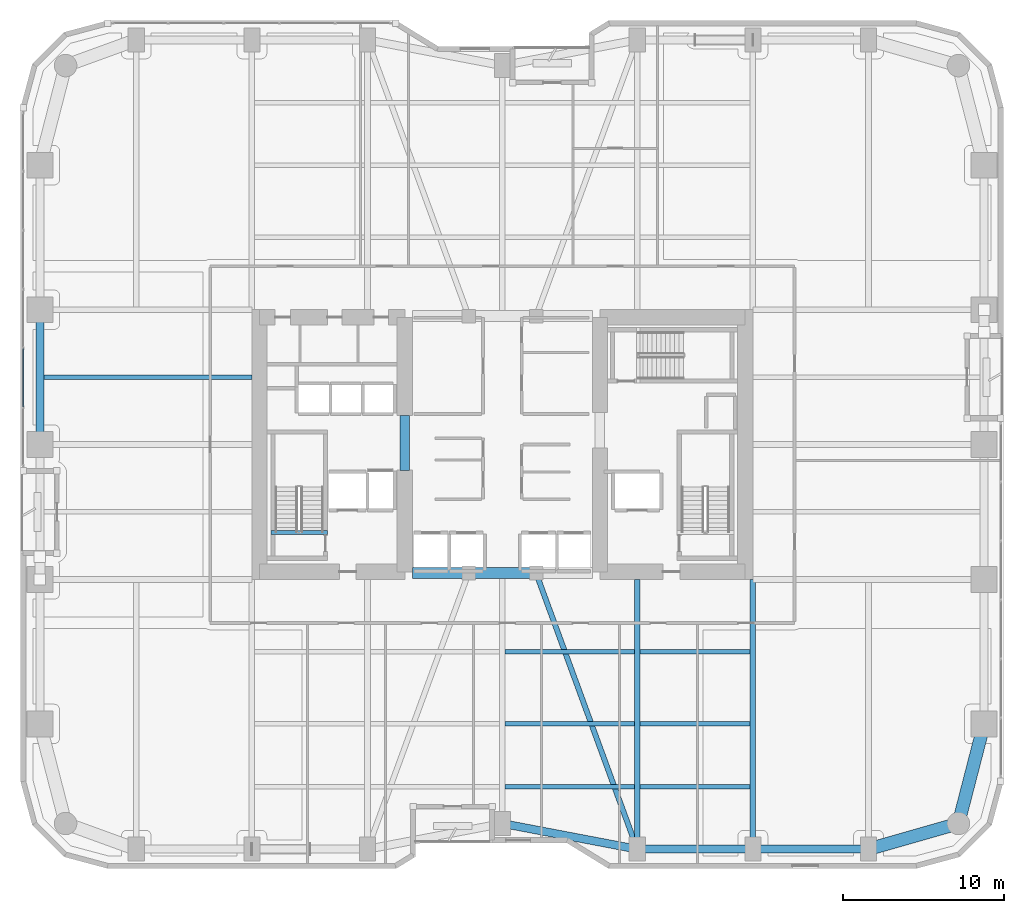
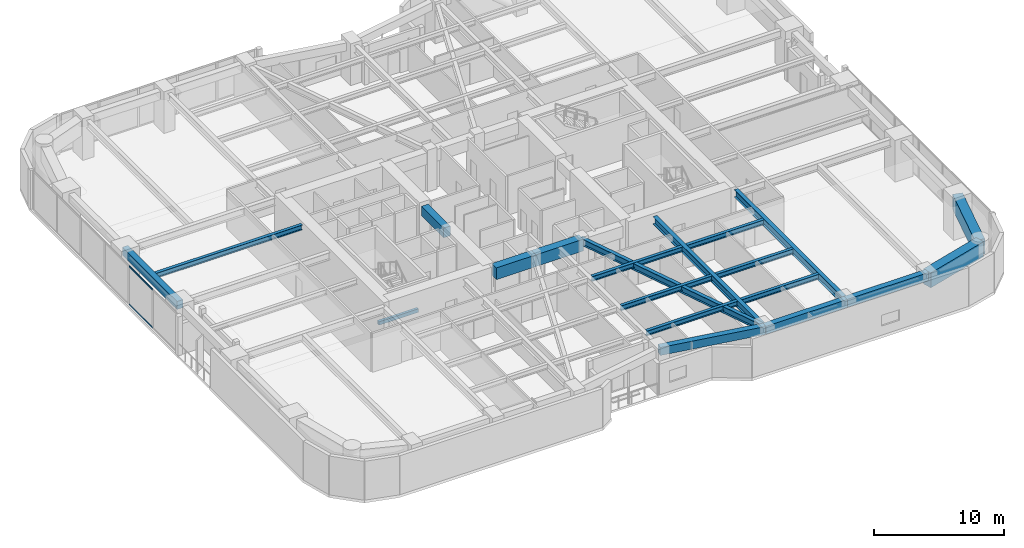
# One storey, part 3 of 29: 20 beams, 2 members, 1 element without a shape of its own.
"""IFC4 building model written with IfcOpenShell, lengths in metres."""

from ifc_helpers import new_model, si_unit, direction, frame, origin, origin_2d, place, context, subcontext, project, spatial, rectangle, hollow_rectangle, i_section, extrude, material, layer, layer_set, material_profile, profile_set, type_object, element, aggregate, save


model = new_model("IFC4")

# Units and contexts
model_context = context("Model", 3, precision=1e-05, world=origin(), true_north=direction((0.0, 1.0)))
body_context = subcontext(model_context, "Body", "Model", "MODEL_VIEW")
ifc_project = project(units=[si_unit("LENGTHUNIT", "METRE"), si_unit("AREAUNIT", "SQUARE_METRE"), si_unit("VOLUMEUNIT", "CUBIC_METRE"), si_unit("PLANEANGLEUNIT", "RADIAN"), si_unit("MASSUNIT", "GRAM", prefix="KILO")], contexts=[model_context])

# Site, building, storey
site_placement = place(None, origin())
site = spatial("IfcSite", under=ifc_project, at=site_placement, CompositionType="ELEMENT")
building_placement = place(site_placement, origin())
building = spatial("IfcBuilding", under=site, at=building_placement, Name="Kiyonajd Concourse Tower", CompositionType="ELEMENT")
storey_placement = place(building_placement, frame((0.0, 0.0, 48.89990234375)))
storey = spatial("IfcBuildingStorey", under=building, at=storey_placement, Name="L13", CompositionType="ELEMENT", Elevation=48.89990234375)

# Beams
ifc_material_1 = material(Name="Concrete C70/85", Category="concrete")
ifc_material_profile_1 = material_profile(ifc_material_1, rectangle(XDim=0.699951171875, YDim=1.10009765625, at=origin_2d()), Name="RCBM-700x1100")
ifc_profile_set_1 = profile_set([ifc_material_profile_1], Name="Concrete C70/85")
beam_type_1 = type_object("IfcBeamType", Name="BM-COUP-1100", PredefinedType="LINTEL", material=ifc_profile_set_1)
beam_1_placement = place(storey_placement, frame((42.39990234375, 28.0, 3.090087890625), z_axis=(1.0, 0.0, 0.0), x_axis=(0.0, 1.0, 0.0)))
element("IfcBeam", 1, at=beam_1_placement, inside=storey, type_object=beam_type_1, Name="L13 Core Coupling Beam S1", PredefinedType="LINTEL", context=body_context, shape_type="SweptSolid", body=[
    extrude(rectangle(XDim=0.699951171875, YDim=1.10009765625, at=origin_2d()), origin(), (0.0, 0.0, 1.0), 3.5),
])
beam_2_placement = place(storey_placement, frame((45.89990234375, 28.0, 3.090087890625), z_axis=(1.0, 0.0, 0.0), x_axis=(0.0, 1.0, 0.0)))
element("IfcBeam", 2, at=beam_2_placement, inside=storey, type_object=beam_type_1, Name="L13 Core Coupling Beam S2", PredefinedType="LINTEL", context=body_context, shape_type="SweptSolid", body=[
    extrude(rectangle(XDim=0.699951171875, YDim=1.10009765625, at=origin_2d()), origin(), (0.0, 0.0, 1.0), 4.2001953125),
])
ifc_material_2 = material(Name="Concrete C60/75", Category="concrete")
ifc_material_profile_2 = material_profile(ifc_material_2, rectangle(XDim=0.60009765625, YDim=0.89990234375, at=origin_2d()), Name="RCBM-600x900")
ifc_profile_set_2 = profile_set([ifc_material_profile_2], Name="Concrete C60/75")
beam_type_2 = type_object("IfcBeamType", Name="BM-COUP-900", PredefinedType="LINTEL", material=ifc_profile_set_2)
beam_3_placement = place(storey_placement, frame((41.925048828125, 34.39990234375, 3.090087890625), z_axis=(0.0, 1.0, 0.0), x_axis=(-1.0, 0.0, 0.0)))
element("IfcBeam", 3, at=beam_3_placement, inside=storey, type_object=beam_type_2, Name="L13 West Core Throat Coupling Lintel", PredefinedType="LINTEL", context=body_context, shape_type="SweptSolid", body=[
    extrude(rectangle(XDim=0.60009765625, YDim=0.89990234375, at=origin_2d()), origin(), (0.0, 0.0, 1.0), 3.400146484375),
])
ifc_material_3 = material(Name="Steel ASTM A992 Grade 50", Category="steel")
ifc_material_profile_3 = material_profile(ifc_material_3, i_section(OverallWidth=0.280029296875, OverallDepth=0.462890625, WebThickness=0.0107421875, FlangeThickness=0.017333984375, at=origin_2d()), Name="W460X113")
ifc_profile_set_3 = profile_set([ifc_material_profile_3], Name="Steel ASTM A992 Grade 50")
beam_type_3 = type_object("IfcBeamType", Name="BM-JST-460A", PredefinedType="JOIST", material=ifc_profile_set_3)
beam_4_placement = place(storey_placement, frame((48.177490234375, 14.699951171875, 3.40869140625), z_axis=(1.0, 0.0, 0.0), x_axis=(0.0, 1.0, 0.0)))
element("IfcBeam", 4, at=beam_4_placement, inside=storey, type_object=beam_type_3, Name="L13 Secondary Floor Joist", PredefinedType="JOIST", context=body_context, shape_type="SweptSolid", body=[
    extrude(i_section(OverallWidth=0.280029296875, OverallDepth=0.462890625, WebThickness=0.0107421875, FlangeThickness=0.017333984375, at=origin_2d()), origin(), (0.0, 0.0, 1.0), 8.044921875),
])
beam_5_placement = place(storey_placement, frame((56.577392578125, 14.699951171875, 3.40869140625), z_axis=(1.0, 0.0, 0.0), x_axis=(0.0, 1.0, 0.0)))
element("IfcBeam", 5, at=beam_5_placement, inside=storey, type_object=beam_type_3, Name="L13 Secondary Floor Joist", PredefinedType="JOIST", context=body_context, shape_type="SweptSolid", body=[
    extrude(i_section(OverallWidth=0.280029296875, OverallDepth=0.462890625, WebThickness=0.0107421875, FlangeThickness=0.017333984375, at=origin_2d()), origin(), (0.0, 0.0, 1.0), 6.84521484375),
])
beam_6_placement = place(storey_placement, frame((48.177490234375, 18.60009765625, 3.40869140625), z_axis=(1.0, 0.0, 0.0), x_axis=(0.0, 1.0, 0.0)))
element("IfcBeam", 6, at=beam_6_placement, inside=storey, type_object=beam_type_3, Name="L13 Secondary Floor Joist", PredefinedType="JOIST", context=body_context, shape_type="SweptSolid", body=[
    extrude(i_section(OverallWidth=0.280029296875, OverallDepth=0.462890625, WebThickness=0.0107421875, FlangeThickness=0.017333984375, at=origin_2d()), origin(), (0.0, 0.0, 1.0), 8.044921875),
])
beam_7_placement = place(storey_placement, frame((56.577392578125, 18.60009765625, 3.40869140625), z_axis=(1.0, 0.0, 0.0), x_axis=(0.0, 1.0, 0.0)))
element("IfcBeam", 7, at=beam_7_placement, inside=storey, type_object=beam_type_3, Name="L13 Secondary Floor Joist", PredefinedType="JOIST", context=body_context, shape_type="SweptSolid", body=[
    extrude(i_section(OverallWidth=0.280029296875, OverallDepth=0.462890625, WebThickness=0.0107421875, FlangeThickness=0.017333984375, at=origin_2d()), origin(), (0.0, 0.0, 1.0), 6.84521484375),
])
beam_8_placement = place(storey_placement, frame((48.177490234375, 23.10009765625, 3.40869140625), z_axis=(1.0, 0.0, 0.0), x_axis=(0.0, 1.0, 0.0)))
element("IfcBeam", 8, at=beam_8_placement, inside=storey, type_object=beam_type_3, Name="L13 Secondary Floor Joist", PredefinedType="JOIST", context=body_context, shape_type="SweptSolid", body=[
    extrude(i_section(OverallWidth=0.280029296875, OverallDepth=0.462890625, WebThickness=0.0107421875, FlangeThickness=0.017333984375, at=origin_2d()), origin(), (0.0, 0.0, 1.0), 8.044921875),
])
beam_9_placement = place(storey_placement, frame((56.577392578125, 23.10009765625, 3.40869140625), z_axis=(1.0, 0.0, 0.0), x_axis=(0.0, 1.0, 0.0)))
element("IfcBeam", 9, at=beam_9_placement, inside=storey, type_object=beam_type_3, Name="L13 Secondary Floor Joist", PredefinedType="JOIST", context=body_context, shape_type="SweptSolid", body=[
    extrude(i_section(OverallWidth=0.280029296875, OverallDepth=0.462890625, WebThickness=0.0107421875, FlangeThickness=0.017333984375, at=origin_2d()), origin(), (0.0, 0.0, 1.0), 6.84521484375),
])
beam_10_placement = place(storey_placement, frame((19.449951171875, 40.199951171875, 3.40869140625), z_axis=(1.0, 0.0, 0.0), x_axis=(0.0, 1.0, 0.0)))
element("IfcBeam", 10, at=beam_10_placement, inside=storey, type_object=beam_type_3, Name="L13 West Secondary Floor Joist", PredefinedType="JOIST", context=body_context, shape_type="SweptSolid", body=[
    extrude(i_section(OverallWidth=0.280029296875, OverallDepth=0.462890625, WebThickness=0.0107421875, FlangeThickness=0.017333984375, at=origin_2d()), origin(), (0.0, 0.0, 1.0), 12.949951171875),
])
ifc_material_4 = material(Name="Concrete C50/60", Category="concrete")
ifc_material_profile_4 = material_profile(ifc_material_4, rectangle(XDim=0.239990234375, YDim=0.320068359375, at=origin_2d()), Name="RCBM-240x320")
ifc_profile_set_4 = profile_set([ifc_material_profile_4], Name="Concrete C50/60")
beam_type_4 = type_object("IfcBeamType", Name="BM-LNT-250", PredefinedType="LINTEL", material=ifc_profile_set_4)
beam_11_placement = place(storey_placement, frame((33.590087890625, 30.530029296875, -0.159912109375), z_axis=(1.0, 0.0, 0.0), x_axis=(0.0, 1.0, 0.0)))
element("IfcBeam", 11, at=beam_11_placement, inside=storey, type_object=beam_type_4, Name="L13 Stair ST1 Threshold Support Beam", PredefinedType="LINTEL", context=body_context, shape_type="SweptSolid", body=[
    extrude(rectangle(XDim=0.239990234375, YDim=0.320068359375, at=origin_2d()), origin(), (0.0, 0.0, 1.0), 3.52001953125),
])
ifc_material_5 = material(Name="Precast concrete C50/60", Category="concrete")
ifc_material_profile_5 = material_profile(ifc_material_5, rectangle(XDim=0.5, YDim=0.75, at=origin_2d()), Name="RCBM-500x750")
ifc_profile_set_5 = profile_set([ifc_material_profile_5], Name="Precast concrete C50/60")
beam_type_5 = type_object("IfcBeamType", Name="BM-SPAN-RC", PredefinedType="SPANDREL", material=ifc_profile_set_5)
beam_12_placement = place(storey_placement, frame((48.0, 12.39990234375, 3.26513671875), z_axis=(0.982341315253, -0.187097675953, 0.0), x_axis=(0.187097675953, 0.982341315253, 0.0)))
element("IfcBeam", 12, at=beam_12_placement, inside=storey, type_object=beam_type_5, Name="L13 Perimeter Bundled Tube Spandrel", PredefinedType="SPANDREL", context=body_context, shape_type="SweptSolid", body=[
    extrude(rectangle(XDim=0.5, YDim=0.75, at=origin_2d()), origin(), (0.0, 0.0, 1.0), 8.55078125),
])
beam_13_placement = place(storey_placement, frame((56.39990234375, 10.800048828125, 3.26513671875), z_axis=(1.0, 0.0, 0.0), x_axis=(0.0, 1.0, 0.0)))
element("IfcBeam", 13, at=beam_13_placement, inside=storey, type_object=beam_type_5, Name="L13 Perimeter Bundled Tube Spandrel", PredefinedType="SPANDREL", context=body_context, shape_type="SweptSolid", body=[
    extrude(rectangle(XDim=0.5, YDim=0.75, at=origin_2d()), origin(), (0.0, 0.0, 1.0), 7.2001953125),
])
beam_14_placement = place(storey_placement, frame((63.60009765625, 10.800048828125, 3.26513671875), z_axis=(1.0, 0.0, 0.0), x_axis=(0.0, 1.0, 0.0)))
element("IfcBeam", 14, at=beam_14_placement, inside=storey, type_object=beam_type_5, Name="L13 Perimeter Bundled Tube Spandrel", PredefinedType="SPANDREL", context=body_context, shape_type="SweptSolid", body=[
    extrude(rectangle(XDim=0.5, YDim=0.75, at=origin_2d()), origin(), (0.0, 0.0, 1.0), 7.199951171875),
])
beam_15_placement = place(storey_placement, frame((19.199951171875, 44.39990234375, 3.26513671875), z_axis=(0.0, -1.0, 0.0), x_axis=(1.0, 0.0, 0.0)))
element("IfcBeam", 15, at=beam_15_placement, inside=storey, type_object=beam_type_5, Name="L13 Perimeter Bundled Tube Spandrel", PredefinedType="SPANDREL", context=body_context, shape_type="SweptSolid", body=[
    extrude(rectangle(XDim=0.5, YDim=0.75, at=origin_2d()), origin(), (0.0, 0.0, 1.0), 8.39990234375),
])
ifc_material_profile_6 = material_profile(ifc_material_3, i_section(OverallWidth=0.326904296875, OverallDepth=0.6220703125, WebThickness=0.015380859375, FlangeThickness=0.0244140625, at=origin_2d()), Name="W610X195")
ifc_profile_set_6 = profile_set([ifc_material_profile_6], Name="Steel ASTM A992 Grade 50")
beam_type_6 = type_object("IfcBeamType", Name="BM-TWR-610A", PredefinedType="BEAM", material=ifc_profile_set_6)
beam_16_placement = place(storey_placement, frame((50.10009765625, 28.0, 3.3291015625), z_axis=(0.343925269715, -0.938997022813, 0.0), x_axis=(0.938997022813, 0.343925269715, 0.0)))
element("IfcBeam", 16, at=beam_16_placement, inside=storey, type_object=beam_type_6, Name="L13 Core Tie Girder", PredefinedType="BEAM", context=body_context, shape_type="SweptSolid", body=[
    extrude(i_section(OverallWidth=0.326904296875, OverallDepth=0.6220703125, WebThickness=0.015380859375, FlangeThickness=0.0244140625, at=origin_2d()), origin(), (0.0, 0.0, 1.0), 18.3173828125),
])
ifc_material_profile_7 = material_profile(ifc_material_3, i_section(OverallWidth=0.35498046875, OverallDepth=0.695068359375, WebThickness=0.015380859375, FlangeThickness=0.02490234375, at=origin_2d()), Name="W690X217")
ifc_profile_set_7 = profile_set([ifc_material_profile_7], Name="Steel ASTM A992 Grade 50")
beam_type_7 = type_object("IfcBeamType", Name="BM-TWR-690", PredefinedType="BEAM", material=ifc_profile_set_7)
for number, where, z_axis, x_axis, name in (
    (17, (56.39990234375, 10.800048828125, 3.29248046875), (0.0, 1.0, 0.0), (-1.0, 0.0, 0.0), "L13 South Lease Girder"),
    (18, (63.60009765625, 10.800048828125, 3.29248046875), (0.0, 1.0, 0.0), (-1.0, 0.0, 0.0), "L13 South Lease Girder"),
):
    element("IfcBeam", number, at=place(storey_placement, frame(where, z_axis=z_axis, x_axis=x_axis)), inside=storey, type_object=beam_type_7, Name=name, PredefinedType="BEAM", context=body_context, shape_type="SweptSolid", body=[
        extrude(i_section(OverallWidth=0.35498046875, OverallDepth=0.695068359375, WebThickness=0.015380859375, FlangeThickness=0.02490234375, at=origin_2d()), origin(), (0.0, 0.0, 1.0), 16.800048828125),
    ])
ifc_material_profile_8 = material_profile(ifc_material_2, rectangle(XDim=0.800048828125, YDim=1.39990234375, at=origin_2d()), Name="RCBM-800x1400")
ifc_profile_set_8 = profile_set([ifc_material_profile_8], Name="Concrete C60/75")
beam_type_8 = type_object("IfcBeamType", Name="BM-XFER-RC", PredefinedType="BEAM", material=ifc_profile_set_8)
beam_17_placement = place(storey_placement, frame((70.800048828125, 10.800048828125, 2.940185546875), z_axis=(0.961528693205, 0.274704517878, 0.0), x_axis=(-0.274704517878, 0.961528693205, 0.0)))
element("IfcBeam", 19, at=beam_17_placement, inside=storey, type_object=beam_type_8, Name="L13 Perimeter Bundled Tube Spandrel", PredefinedType="BEAM", context=body_context, shape_type="SweptSolid", body=[
    extrude(rectangle(XDim=0.800048828125, YDim=1.39990234375, at=origin_2d()), origin(), (0.0, 0.0, 1.0), 5.823974609375),
])
beam_18_placement = place(storey_placement, frame((76.39990234375, 12.39990234375, 2.940185546875), z_axis=(0.249884937687, 0.968275538221, 0.0), x_axis=(-0.968275538221, 0.249884937687, 0.0)))
element("IfcBeam", 20, at=beam_18_placement, inside=storey, type_object=beam_type_8, Name="L13 Perimeter Bundled Tube Spandrel", PredefinedType="BEAM", context=body_context, shape_type="SweptSolid", body=[
    extrude(rectangle(XDim=0.800048828125, YDim=1.39990234375, at=origin_2d()), origin(), (0.0, 0.0, 1.0), 6.4033203125),
])

# Curtain wall, members
ifc_material_6 = material(Name="Thermally Broken Anodised Aluminium", Category="aluminium")
ifc_layer = layer(ifc_material_6, 0.179931640625)
ifc_layer_set = layer_set([ifc_layer], Name="Thermally Broken Anodised Aluminium")
curtain_wall_type = type_object("IfcCurtainWallType", Name="CW-SYS-02", PredefinedType="NOTDEFINED", material=ifc_layer_set)
curtain_wall_placement = place(storey_placement, origin())
curtain_wall = element("IfcCurtainWall", 21, at=curtain_wall_placement, inside=storey, type_object=curtain_wall_type, Name="L13 Unitised Curtain Wall CW2", PredefinedType="NOTDEFINED")
ifc_material_profile_9 = material_profile(ifc_material_6, hollow_rectangle(XDim=0.06494140625, YDim=0.139892578125, WallThickness=0.00390625, at=origin_2d()), Name="TRAN-65x140")
ifc_profile_set_9 = profile_set([ifc_material_profile_9], Name="Thermally Broken Anodised Aluminium")
member_type = type_object("IfcMemberType", Name="MB-CW-TRAN1", PredefinedType="USERDEFINED", material=ifc_profile_set_9)
member_1_placement = place(storey_placement, frame((18.159912109375, 38.355712890625, 0.03271484375), z_axis=(0.0, 1.0, 0.0), x_axis=(-1.0, 0.0, 0.0)))
member_1 = element("IfcMember", 22, at=member_1_placement, type_object=member_type, Name="CW2 transom 2.1", ObjectType="TRANSOM", PredefinedType="USERDEFINED", context=body_context, shape_type="SweptSolid", body=[
    extrude(hollow_rectangle(XDim=0.06494140625, YDim=0.139892578125, WallThickness=0.00390625, at=origin_2d()), origin(), (0.0, 0.0, 1.0), 3.608154296875),
])
member_2_placement = place(storey_placement, frame((18.159912109375, 38.355712890625, 3.607666015625), z_axis=(0.0, 1.0, 0.0), x_axis=(-1.0, 0.0, 0.0)))
member_2 = element("IfcMember", 23, at=member_2_placement, type_object=member_type, Name="CW2 transom 2.2", ObjectType="TRANSOM", PredefinedType="USERDEFINED", context=body_context, shape_type="SweptSolid", body=[
    extrude(hollow_rectangle(XDim=0.06494140625, YDim=0.139892578125, WallThickness=0.00390625, at=origin_2d()), origin(), (0.0, 0.0, 1.0), 3.608154296875),
])
aggregate(curtain_wall, [member_1, member_2])

save(model, "model.ifc")
